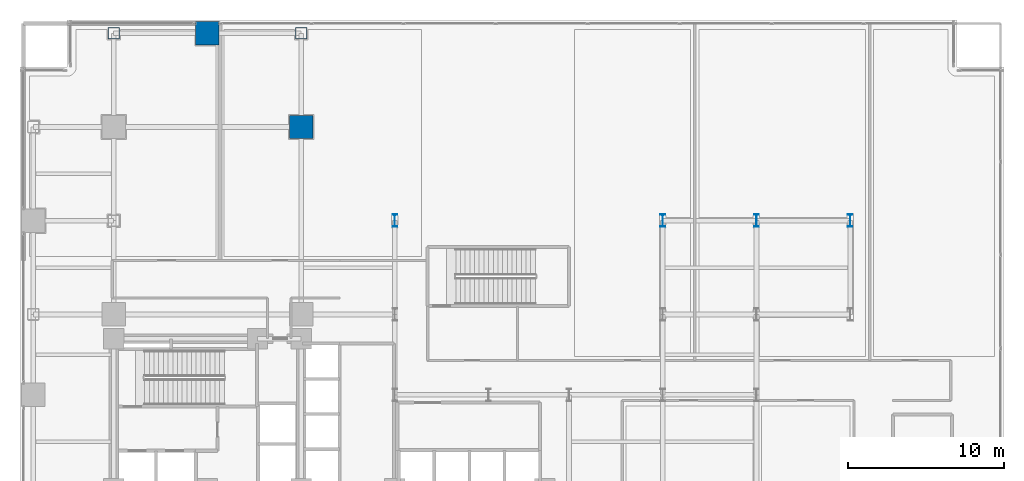
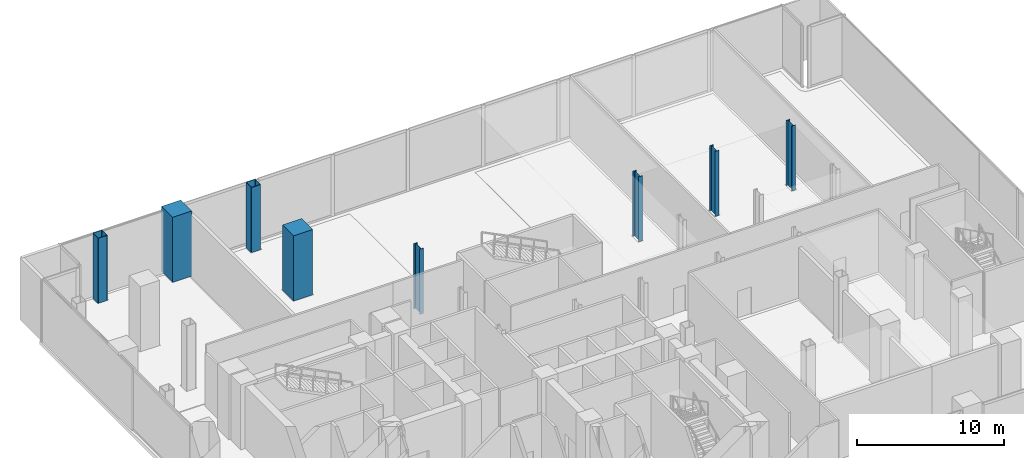
# One storey, part 2 of 27: 8 columns.
"""IFC4 building model written with IfcOpenShell, lengths in metres."""

from ifc_helpers import new_model, si_unit, direction, frame, origin, origin_2d, place, context, subcontext, project, spatial, rectangle, hollow_rectangle, i_section, extrude, material, material_profile, profile_set, type_object, element, save


model = new_model("IFC4")

# Units and contexts
model_context = context("Model", 3, precision=1e-05, world=origin(), true_north=direction((0.0, 1.0)))
body_context = subcontext(model_context, "Body", "Model", "MODEL_VIEW")
ifc_project = project(units=[si_unit("LENGTHUNIT", "METRE"), si_unit("AREAUNIT", "SQUARE_METRE"), si_unit("VOLUMEUNIT", "CUBIC_METRE"), si_unit("PLANEANGLEUNIT", "RADIAN"), si_unit("MASSUNIT", "GRAM", prefix="KILO"), si_unit("THERMODYNAMICTEMPERATUREUNIT", "KELVIN"), si_unit("POWERUNIT", "WATT")], contexts=[model_context])

# Site, building, storey
site_placement = place(None, origin())
site = spatial("IfcSite", under=ifc_project, at=site_placement, CompositionType="ELEMENT")
building_placement = place(site_placement, origin())
building = spatial("IfcBuilding", under=site, at=building_placement, Name="Svarakhadi Broadcast Tower", CompositionType="ELEMENT")
storey_placement = place(building_placement, frame((0.0, 0.0, 5.699951171875)))
storey = spatial("IfcBuildingStorey", under=building, at=storey_placement, Name="L01", CompositionType="ELEMENT", Elevation=5.699951171875)

# Columns
ifc_material_1 = material(Name="Steel S460ML (IS 2062 E450BR)", Category="steel")
ifc_material_profile_1 = material_profile(ifc_material_1, hollow_rectangle(XDim=0.75, YDim=0.75, WallThickness=0.034912109375, InnerFilletRadius=0.034912109375, OuterFilletRadius=0.050048828125, at=origin_2d()), Name="BOX 750x750x35")
ifc_profile_set_1 = profile_set([ifc_material_profile_1], Name="Steel S460ML (IS 2062 E450BR)")
column_type_1 = type_object("IfcColumnType", Name="Col_BOX750", PredefinedType="COLUMN", material=ifc_profile_set_1)
for number, where, z_axis, x_axis, name in (
    (1, (6.0, 47.14990234375, 0.0), (0.0, 0.0, 1.0), (1.0, 0.0, 0.0), "L01 Column G17"),
    (2, (18.0, 47.14990234375, 0.0), (0.0, 0.0, 1.0), (1.0, 0.0, 0.0), "L01 Column G31"),
):
    element("IfcColumn", number, at=place(storey_placement, frame(where, z_axis=z_axis, x_axis=x_axis)), inside=storey, type_object=column_type_1, Name=name, PredefinedType="COLUMN", context=body_context, shape_type="SweptSolid", body=[
        extrude(hollow_rectangle(XDim=0.75, YDim=0.75, WallThickness=0.034912109375, InnerFilletRadius=0.034912109375, OuterFilletRadius=0.050048828125, at=origin_2d()), origin(), (0.0, 0.0, 1.0), 5.400146484375),
    ])
ifc_material_2 = material(Name="Concrete C60/75 (IS 456 M70)", Category="concrete")
ifc_material_profile_2 = material_profile(ifc_material_2, rectangle(XDim=1.5, YDim=1.5, at=origin_2d()), Name="RC 1500x1500")
ifc_profile_set_2 = profile_set([ifc_material_profile_2], Name="Concrete C60/75 (IS 456 M70)")
column_type_2 = type_object("IfcColumnType", Name="Col_RC1500", PredefinedType="COLUMN", material=ifc_profile_set_2)
for number, where, z_axis, x_axis, name in (
    (3, (12.0, 47.14990234375, 0.0), (0.0, 0.0, 1.0), (1.0, 0.0, 0.0), "L01 Column G24"),
    (4, (18.0, 41.14990234375, 0.0), (0.0, 0.0, 1.0), (1.0, 0.0, 0.0), "L01 Column G30"),
):
    element("IfcColumn", number, at=place(storey_placement, frame(where, z_axis=z_axis, x_axis=x_axis)), inside=storey, type_object=column_type_2, Name=name, PredefinedType="COLUMN", context=body_context, shape_type="SweptSolid", body=[
        extrude(rectangle(XDim=1.5, YDim=1.5, at=origin_2d()), origin(), (0.0, 0.0, 1.0), 5.400146484375),
    ])
ifc_material_profile_3 = material_profile(ifc_material_1, i_section(OverallWidth=0.300048828125, OverallDepth=0.800048828125, WebThickness=0.017578125, FlangeThickness=0.032958984375, FilletRadius=0.030029296875, at=origin_2d()), Name="WPB 800x300x262")
ifc_profile_set_3 = profile_set([ifc_material_profile_3], Name="Steel S460ML (IS 2062 E450BR)")
column_type_3 = type_object("IfcColumnType", Name="Col_WPB800", PredefinedType="COLUMN", material=ifc_profile_set_3)
for number, where, z_axis, x_axis, name in (
    (5, (24.0, 35.14990234375, 0.0), (0.0, 0.0, 1.0), (1.0, 0.0, 0.0), "L01 Column G35"),
    (6, (41.14990234375, 35.14990234375, 0.0), (0.0, 0.0, 1.0), (1.0, 0.0, 0.0), "L01 Column G49"),
    (7, (47.14990234375, 35.14990234375, 0.0), (0.0, 0.0, 1.0), (1.0, 0.0, 0.0), "L01 Column G56"),
    (8, (53.14990234375, 35.14990234375, 0.0), (0.0, 0.0, 1.0), (1.0, 0.0, 0.0), "L01 Column G60"),
):
    element("IfcColumn", number, at=place(storey_placement, frame(where, z_axis=z_axis, x_axis=x_axis)), inside=storey, type_object=column_type_3, Name=name, PredefinedType="COLUMN", context=body_context, shape_type="SweptSolid", body=[
        extrude(i_section(OverallWidth=0.300048828125, OverallDepth=0.800048828125, WebThickness=0.017578125, FlangeThickness=0.032958984375, FilletRadius=0.030029296875, at=origin_2d()), origin(), (0.0, 0.0, 1.0), 5.400146484375),
    ])

save(model, "model.ifc")
